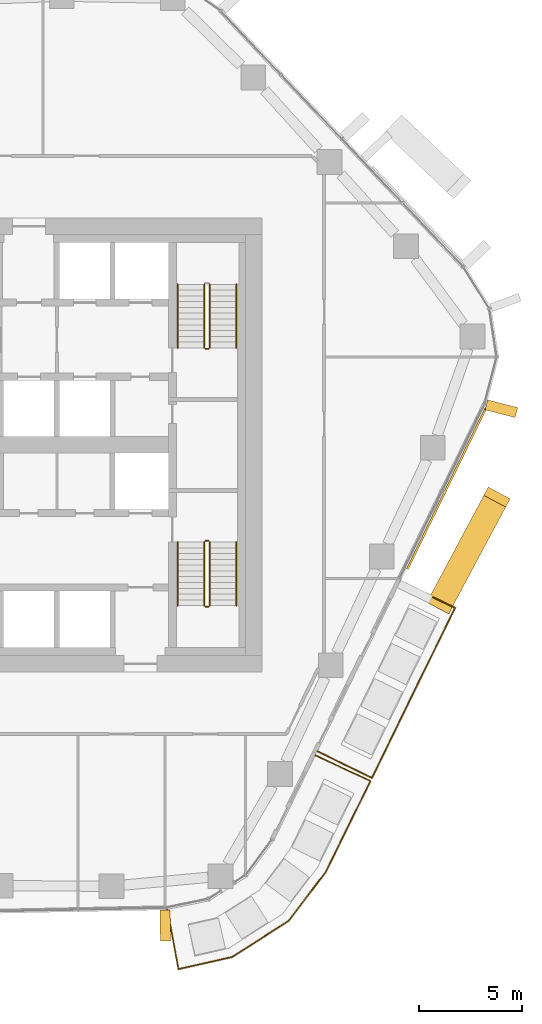
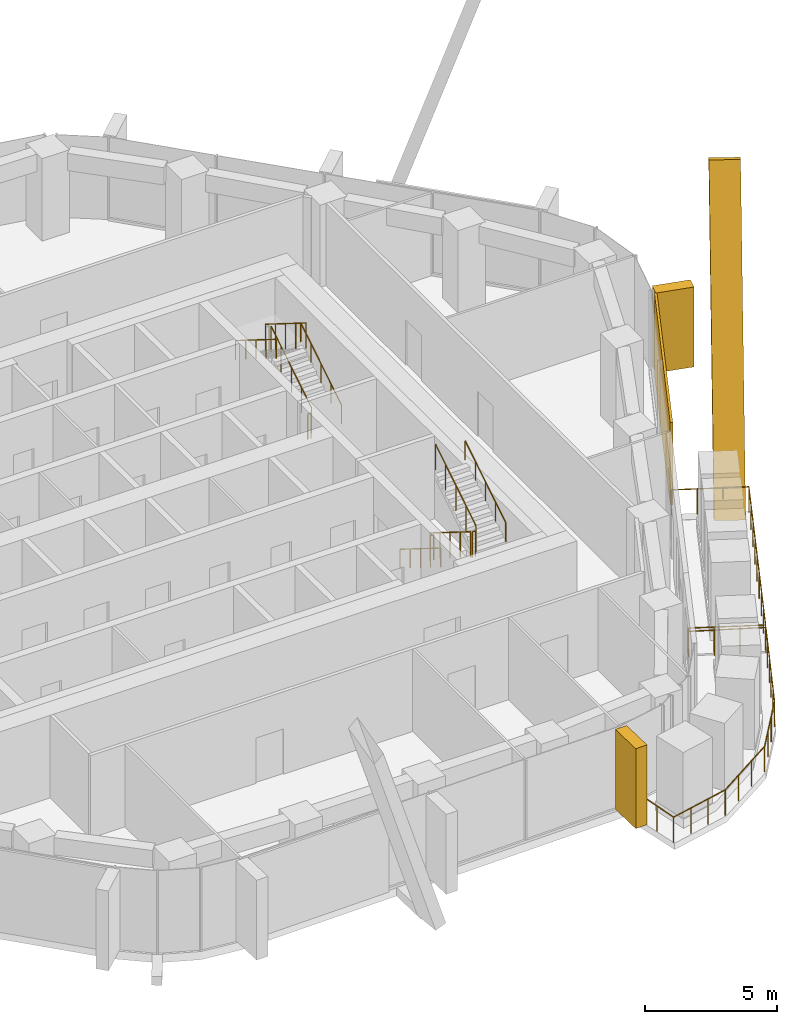
# One storey, part 16 of 18: 13 railings, 4 coverings, 3 elements without a shape of their own.
"""IFC4 building model written with IfcOpenShell, lengths in metres."""

from ifc_helpers import new_model, si_unit, direction, frame, origin, origin_2d, place, context, subcontext, project, spatial, rectangle, circle, extrude, material, layer, layer_set, material_profile, profile_set, type_object, element, aggregate, save


model = new_model("IFC4")

# Units and contexts
model_context = context("Model", 3, precision=1e-05, world=origin(), true_north=direction((0.0, 1.0)))
body_context = subcontext(model_context, "Body", "Model", "MODEL_VIEW")
ifc_project = project(units=[si_unit("LENGTHUNIT", "METRE"), si_unit("AREAUNIT", "SQUARE_METRE"), si_unit("VOLUMEUNIT", "CUBIC_METRE"), si_unit("PLANEANGLEUNIT", "RADIAN"), si_unit("MASSUNIT", "GRAM", prefix="KILO")], contexts=[model_context])

# Site, building, storey
site_placement = place(None, origin())
site = spatial("IfcSite", under=ifc_project, at=site_placement, CompositionType="ELEMENT")
building_placement = place(site_placement, origin())
building = spatial("IfcBuilding", under=site, at=building_placement, Name="Dongbaek Canopy Tower", CompositionType="ELEMENT")
storey_placement = place(building_placement, frame((0.0, 0.0, 167.0)))
storey = spatial("IfcBuildingStorey", under=building, at=storey_placement, Name="L36", CompositionType="ELEMENT", Elevation=167.0)

# Railings
ifc_material_1 = material(Name="Stainless steel", Category="steel")
railing_type_1 = type_object("IfcRailingType", Name="Balcony balustrade 1200", PredefinedType="BALUSTRADE", material=ifc_material_1)
railing_1_placement = place(storey_placement, frame((16.670654296875, -14.836181640625, 0.0)))
element("IfcRailing", 1, at=railing_1_placement, inside=storey, type_object=railing_type_1, Name="Balcony guard L36 2", PredefinedType="BALUSTRADE", context=body_context, shape_type="SweptSolid", body=[
    extrude(circle(Radius=0.02392578125, at=origin_2d()), frame((0.0, 0.0, 1.17578125), z_axis=(0.898671056663, -0.438623223184, 0.0), x_axis=(0.438623223184, 0.898671056663, 0.0)), (0.0, 0.0, 1.0), 2.93994140625),
    extrude(circle(Radius=0.02392578125, at=origin_2d()), frame((2.64208984375, -1.28955078125, 1.17578125), z_axis=(0.438668209755, 0.89864909823, 0.0), x_axis=(-0.89864909823, 0.438668209755, 0.0)), (0.0, 0.0, 1.0), 9.1640625),
    extrude(circle(Radius=0.02392578125, at=origin_2d()), frame((6.662109375, 6.94580078125, 1.17578125), z_axis=(-0.898671056663, 0.438623223184, 0.0), x_axis=(-0.438623223184, -0.898671056663, 0.0)), (0.0, 0.0, 1.0), 2.93994140625),
    extrude(circle(Radius=0.02099609375, at=origin_2d()), origin(), (0.0, 0.0, 1.0), 1.15185546875),
    extrude(circle(Radius=0.02099609375, at=origin_2d()), frame((0.880615234375, -0.429931640625, 0.0)), (0.0, 0.0, 1.0), 1.15185546875),
    extrude(circle(Radius=0.02099609375, at=origin_2d()), frame((1.761474609375, -0.859619140625, 0.0)), (0.0, 0.0, 1.0), 1.15185546875),
    extrude(circle(Radius=0.02099609375, at=origin_2d()), frame((2.64208984375, -1.28955078125, 0.0)), (0.0, 0.0, 1.0), 1.15185546875),
    extrude(circle(Radius=0.02099609375, at=origin_2d()), frame((3.14453125, -0.26025390625, 0.0)), (0.0, 0.0, 1.0), 1.15185546875),
    extrude(circle(Radius=0.02099609375, at=origin_2d()), frame((3.64697265625, 0.769287109375, 0.0)), (0.0, 0.0, 1.0), 1.15185546875),
    extrude(circle(Radius=0.02099609375, at=origin_2d()), frame((4.149658203125, 1.798828125, 0.0)), (0.0, 0.0, 1.0), 1.15185546875),
    extrude(circle(Radius=0.02099609375, at=origin_2d()), frame((4.652099609375, 2.828125, 0.0)), (0.0, 0.0, 1.0), 1.15185546875),
    extrude(circle(Radius=0.02099609375, at=origin_2d()), frame((5.154541015625, 3.857421875, 0.0)), (0.0, 0.0, 1.0), 1.15185546875),
    extrude(circle(Radius=0.02099609375, at=origin_2d()), frame((5.6572265625, 4.886962890625, 0.0)), (0.0, 0.0, 1.0), 1.15185546875),
    extrude(circle(Radius=0.02099609375, at=origin_2d()), frame((6.15966796875, 5.91650390625, 0.0)), (0.0, 0.0, 1.0), 1.15185546875),
    extrude(circle(Radius=0.02099609375, at=origin_2d()), frame((6.662109375, 6.94580078125, 0.0)), (0.0, 0.0, 1.0), 1.15185546875),
    extrude(circle(Radius=0.02099609375, at=origin_2d()), frame((5.781494140625, 7.375732421875, 0.0)), (0.0, 0.0, 1.0), 1.15185546875),
    extrude(circle(Radius=0.02099609375, at=origin_2d()), frame((4.900634765625, 7.805419921875, 0.0)), (0.0, 0.0, 1.0), 1.15185546875),
    extrude(circle(Radius=0.02099609375, at=origin_2d()), frame((4.02001953125, 8.2353515625, 0.0)), (0.0, 0.0, 1.0), 1.15185546875),
])
railing_2_placement = place(storey_placement, frame((9.403076171875, -22.49609375, 0.0)))
element("IfcRailing", 2, at=railing_2_placement, inside=storey, type_object=railing_type_1, Name="Balcony guard L36 4", PredefinedType="BALUSTRADE", context=body_context, shape_type="SweptSolid", body=[
    extrude(circle(Radius=0.02392578125, at=origin_2d()), frame((0.0, 0.0, 1.17578125), z_axis=(0.181821684014, -0.983331518473, 0.0), x_axis=(0.983331518473, 0.181821684014, 0.0)), (0.0, 0.0, 1.0), 2.940673828125),
    extrude(circle(Radius=0.02392578125, at=origin_2d()), frame((0.53466796875, -2.8916015625, 1.17578125), z_axis=(0.97554692989, 0.219791236364, 0.0), x_axis=(-0.219791236364, 0.97554692989, 0.0)), (0.0, 0.0, 1.0), 2.664794921875),
    extrude(circle(Radius=0.02392578125, at=origin_2d()), frame((3.13427734375, -2.305908203125, 1.17578125), z_axis=(0.842635636461, 0.538484154053, 0.0), x_axis=(-0.538484154053, 0.842635636461, 0.0)), (0.0, 0.0, 1.0), 3.24853515625),
    extrude(circle(Radius=0.02392578125, at=origin_2d()), frame((5.87158203125, -0.556640625, 1.17578125), z_axis=(0.604495759218, 0.79660835866, 0.0), x_axis=(-0.79660835866, 0.604495759218, 0.0)), (0.0, 0.0, 1.0), 2.982666015625),
    extrude(circle(Radius=0.02392578125, at=origin_2d()), frame((7.674560546875, 1.8193359375, 1.17578125), z_axis=(0.440917933883, 0.897547422469, 0.0), x_axis=(-0.897547422469, 0.440917933883, 0.0)), (0.0, 0.0, 1.0), 4.910400390625),
    extrude(circle(Radius=0.02392578125, at=origin_2d()), frame((9.839599609375, 6.2265625, 1.17578125), z_axis=(-0.907409457465, 0.420247637117, 0.0), x_axis=(-0.420247637117, -0.907409457465, 0.0)), (0.0, 0.0, 1.0), 2.940673828125),
    extrude(circle(Radius=0.02099609375, at=origin_2d()), origin(), (0.0, 0.0, 1.0), 1.15185546875),
    extrude(circle(Radius=0.02099609375, at=origin_2d()), frame((0.17822265625, -0.9638671875, 0.0)), (0.0, 0.0, 1.0), 1.15185546875),
    extrude(circle(Radius=0.02099609375, at=origin_2d()), frame((0.3564453125, -1.927734375, 0.0)), (0.0, 0.0, 1.0), 1.15185546875),
    extrude(circle(Radius=0.02099609375, at=origin_2d()), frame((0.53466796875, -2.8916015625, 0.0)), (0.0, 0.0, 1.0), 1.15185546875),
    extrude(circle(Radius=0.02099609375, at=origin_2d()), frame((1.401123046875, -2.6962890625, 0.0)), (0.0, 0.0, 1.0), 1.15185546875),
    extrude(circle(Radius=0.02099609375, at=origin_2d()), frame((2.267822265625, -2.501220703125, 0.0)), (0.0, 0.0, 1.0), 1.15185546875),
    extrude(circle(Radius=0.02099609375, at=origin_2d()), frame((3.13427734375, -2.305908203125, 0.0)), (0.0, 0.0, 1.0), 1.15185546875),
    extrude(circle(Radius=0.02099609375, at=origin_2d()), frame((4.046630859375, -1.722900390625, 0.0)), (0.0, 0.0, 1.0), 1.15185546875),
    extrude(circle(Radius=0.02099609375, at=origin_2d()), frame((4.959228515625, -1.1396484375, 0.0)), (0.0, 0.0, 1.0), 1.15185546875),
    extrude(circle(Radius=0.02099609375, at=origin_2d()), frame((5.87158203125, -0.556640625, 0.0)), (0.0, 0.0, 1.0), 1.15185546875),
    extrude(circle(Radius=0.02099609375, at=origin_2d()), frame((6.47265625, 0.2353515625, 0.0)), (0.0, 0.0, 1.0), 1.15185546875),
    extrude(circle(Radius=0.02099609375, at=origin_2d()), frame((7.073486328125, 1.02734375, 0.0)), (0.0, 0.0, 1.0), 1.15185546875),
    extrude(circle(Radius=0.02099609375, at=origin_2d()), frame((7.674560546875, 1.8193359375, 0.0)), (0.0, 0.0, 1.0), 1.15185546875),
    extrude(circle(Radius=0.02099609375, at=origin_2d()), frame((8.107666015625, 2.70068359375, 0.0)), (0.0, 0.0, 1.0), 1.15185546875),
    extrude(circle(Radius=0.02099609375, at=origin_2d()), frame((8.54052734375, 3.582275390625, 0.0)), (0.0, 0.0, 1.0), 1.15185546875),
    extrude(circle(Radius=0.02099609375, at=origin_2d()), frame((8.9736328125, 4.463623046875, 0.0)), (0.0, 0.0, 1.0), 1.15185546875),
    extrude(circle(Radius=0.02099609375, at=origin_2d()), frame((9.406494140625, 5.34521484375, 0.0)), (0.0, 0.0, 1.0), 1.15185546875),
    extrude(circle(Radius=0.02099609375, at=origin_2d()), frame((9.839599609375, 6.2265625, 0.0)), (0.0, 0.0, 1.0), 1.15185546875),
    extrude(circle(Radius=0.02099609375, at=origin_2d()), frame((8.9501953125, 6.638427734375, 0.0)), (0.0, 0.0, 1.0), 1.15185546875),
    extrude(circle(Radius=0.02099609375, at=origin_2d()), frame((8.060546875, 7.050537109375, 0.0)), (0.0, 0.0, 1.0), 1.15185546875),
    extrude(circle(Radius=0.02099609375, at=origin_2d()), frame((7.171142578125, 7.46240234375, 0.0)), (0.0, 0.0, 1.0), 1.15185546875),
])

# Curtain wall, coverings
ifc_material_2 = material(Name="Aluminium 6063-T6 pale anodised", Category="aluminium")
ifc_layer_1 = layer(ifc_material_2, 0.199951171875)
ifc_layer_set_1 = layer_set([ifc_layer_1], Name="CW-1 unitised tower curtain wall")
curtain_wall_type = type_object("IfcCurtainWallType", Name="CW-1 unitised tower curtain wall", PredefinedType="NOTDEFINED", material=ifc_layer_set_1)
curtain_wall_1_placement = place(storey_placement, origin())
curtain_wall_1 = element("IfcCurtainWall", 3, at=curtain_wall_1_placement, inside=storey, type_object=curtain_wall_type, Name="CW-1 curtain wall F5.1", PredefinedType="NOTDEFINED")
ifc_material_3 = material(Name="Aluminium 6063-T6 pale metal fin", Category="aluminium")
ifc_material_profile_1 = material_profile(ifc_material_3, rectangle(XDim=1.199951171875, YDim=0.5, at=origin_2d()), Name="Crease fin CF1 500 x 1200 pale metal")
ifc_profile_set_1 = profile_set([ifc_material_profile_1], Name="Aluminium 6063-T6 pale metal fin")
covering_type_1 = type_object("IfcCoveringType", Name="Crease fin CF1 500 x 1200 pale metal", PredefinedType="CLADDING", material=ifc_profile_set_1)
covering_1_placement = place(storey_placement, frame((22.60791015625, -7.69970703125, -0.18994140625), z_axis=(0.198673140838, 0.372367218345, 0.906571363882), x_axis=(-0.882276888959, 0.470730805459, 0.0)))
covering_1 = element("IfcCovering", 4, at=covering_1_placement, type_object=covering_type_1, Name="Crease fin L36 L39 F5", PredefinedType="CLADDING", context=body_context, shape_type="SweptSolid", body=[
    extrude(rectangle(XDim=1.199951171875, YDim=0.5, at=origin_2d()), origin(), (0.0, 0.0, 1.0), 13.8984375),
])
ifc_material_4 = material(Name="Perforated aluminium 6063-T6 pale metal screen", Category="aluminium")
ifc_layer_2 = layer(ifc_material_4, 0.10009765625)
ifc_layer_set_2 = layer_set([ifc_layer_2], Name="Facet screen FS1 100 pale metal")
covering_type_2 = type_object("IfcCoveringType", Name="Facet screen FS1 100 pale metal", PredefinedType="CLADDING", material=ifc_layer_set_2)
covering_2_placement = place(storey_placement, frame((22.934814453125, -2.1083984375, 0.0), z_axis=(0.0, 0.0, 1.0), x_axis=(0.438664468754, 0.89865092436, 0.0)))
covering_2 = element("IfcCovering", 5, at=covering_2_placement, type_object=covering_type_2, Name="Facet screen L36 F5", PredefinedType="CLADDING", context=body_context, shape_type="SweptSolid", body=[
    extrude(rectangle(XDim=8.6865234375, YDim=0.10009765625, at=origin_2d()), origin(), (0.0, 0.0, 1.0), 3.820068359375),
])
aggregate(curtain_wall_1, [covering_1, covering_2])

# Curtain wall, covering
curtain_wall_2_placement = place(storey_placement, origin())
curtain_wall_2 = element("IfcCurtainWall", 6, at=curtain_wall_2_placement, inside=storey, type_object=curtain_wall_type, Name="CW-1 curtain wall K0.1", PredefinedType="NOTDEFINED")
ifc_material_5 = material(Name="Aluminium 6063-T6 pale metal fin", Category="aluminium")
ifc_material_profile_2 = material_profile(ifc_material_5, rectangle(XDim=1.5, YDim=0.5, at=origin_2d()), Name="Fin FN1 500 x 1500 pale metal")
ifc_profile_set_2 = profile_set([ifc_material_profile_2], Name="Aluminium 6063-T6 pale metal fin")
covering_type_3 = type_object("IfcCoveringType", Name="Fin FN1 500 x 1500 pale metal", PredefinedType="CLADDING", material=ifc_profile_set_2)
covering_3_placement = place(storey_placement, frame((25.584228515625, 1.75390625, 0.1201171875), z_axis=(0.0, 0.0, 1.0), x_axis=(0.968425118829, -0.249304611313, 0.0)))
covering_3 = element("IfcCovering", 7, at=covering_3_placement, type_object=covering_type_3, Name="Fin K0.1.1", PredefinedType="CLADDING", context=body_context, shape_type="SweptSolid", body=[
    extrude(rectangle(XDim=1.5, YDim=0.5, at=origin_2d()), origin(), (0.0, 0.0, 1.0), 3.699951171875),
])
aggregate(curtain_wall_2, [covering_3])

curtain_wall_3_placement = place(storey_placement, origin())
curtain_wall_3 = element("IfcCurtainWall", 8, at=curtain_wall_3_placement, inside=storey, type_object=curtain_wall_type, Name="CW-1 curtain wall F4.1", PredefinedType="NOTDEFINED")
covering_4_placement = place(storey_placement, frame((9.3017578125, -23.268310546875, 0.1201171875), z_axis=(0.0, 0.0, 1.0), x_axis=(0.020514717954, -0.999789551029, 0.0)))
covering_4 = element("IfcCovering", 9, at=covering_4_placement, type_object=covering_type_3, Name="Fin F4.1.5", PredefinedType="CLADDING", context=body_context, shape_type="SweptSolid", body=[
    extrude(rectangle(XDim=1.5, YDim=0.5, at=origin_2d()), origin(), (0.0, 0.0, 1.0), 3.699951171875),
])
aggregate(curtain_wall_3, [covering_4])

# Railings
ifc_material_6 = material(Name="Stainless steel tube and balusters", Category="steel")
railing_type_2 = type_object("IfcRailingType", Name="Stair guard 1200", PredefinedType="GUARDRAIL", material=ifc_material_6)
railing_3_placement = place(storey_placement, frame((11.449951171875, 4.699951171875, 0.175048828125)))
element("IfcRailing", 10, at=railing_3_placement, inside=storey, type_object=railing_type_2, Name="L36 ST-A stair guard 1", PredefinedType="GUARDRAIL", context=body_context, shape_type="SweptSolid", body=[
    extrude(circle(Radius=0.02392578125, at=origin_2d()), frame((0.0, 0.0, 1.17578125), z_axis=(0.0, 0.847998304005, 0.529998940003), x_axis=(-1.0, 0.0, 0.0)), (0.0, 0.0, 1.0), 3.632080078125),
    extrude(circle(Radius=0.02099609375, at=origin_2d()), origin(), (0.0, 0.0, 1.0), 1.15185546875),
    extrude(circle(Radius=0.02099609375, at=origin_2d()), frame((0.0, 0.77001953125, 0.481201171875)), (0.0, 0.0, 1.0), 1.15185546875),
    extrude(circle(Radius=0.02099609375, at=origin_2d()), frame((0.0, 1.5400390625, 0.96240234375)), (0.0, 0.0, 1.0), 1.15185546875),
    extrude(circle(Radius=0.02099609375, at=origin_2d()), frame((0.0, 2.31005859375, 1.44384765625)), (0.0, 0.0, 1.0), 1.15185546875),
    extrude(circle(Radius=0.02099609375, at=origin_2d()), frame((0.0, 3.080078125, 1.925048828125)), (0.0, 0.0, 1.0), 1.15185546875),
])
railing_4_placement = place(storey_placement, frame((11.199951171875, 7.780029296875, 2.27490234375)))
element("IfcRailing", 11, at=railing_4_placement, inside=storey, type_object=railing_type_2, Name="L36 ST-A stair guard 3", PredefinedType="GUARDRAIL", context=body_context, shape_type="SweptSolid", body=[
    extrude(circle(Radius=0.02392578125, at=origin_2d()), frame((0.0, 0.0, 1.17578125), z_axis=(0.0, -0.847998304005, 0.529998940003), x_axis=(1.0, 0.0, 0.0)), (0.0, 0.0, 1.0), 3.632080078125),
    extrude(circle(Radius=0.02099609375, at=origin_2d()), origin(), (0.0, 0.0, 1.0), 1.15185546875),
    extrude(circle(Radius=0.02099609375, at=origin_2d()), frame((0.0, -0.77001953125, 0.481201171875)), (0.0, 0.0, 1.0), 1.15185546875),
    extrude(circle(Radius=0.02099609375, at=origin_2d()), frame((0.0, -1.5400390625, 0.96240234375)), (0.0, 0.0, 1.0), 1.15185546875),
    extrude(circle(Radius=0.02099609375, at=origin_2d()), frame((0.0, -2.31005859375, 1.44384765625)), (0.0, 0.0, 1.0), 1.15185546875),
    extrude(circle(Radius=0.02099609375, at=origin_2d()), frame((0.0, -3.080078125, 1.925048828125)), (0.0, 0.0, 1.0), 1.15185546875),
])
railing_5_placement = place(storey_placement, frame((11.39990234375, 4.64990234375, 0.0)))
element("IfcRailing", 12, at=railing_5_placement, inside=storey, type_object=railing_type_2, Name="L36 ST-A stair guard 4", PredefinedType="GUARDRAIL", context=body_context, shape_type="SweptSolid", body=[
    extrude(circle(Radius=0.02392578125, at=origin_2d()), frame((0.0, 0.0, 1.17578125), z_axis=(-1.0, 0.0, 0.0), x_axis=(0.0, -1.0, 0.0)), (0.0, 0.0, 1.0), 0.14990234375),
    extrude(circle(Radius=0.02099609375, at=origin_2d()), origin(), (0.0, 0.0, 1.0), 1.15185546875),
    extrude(circle(Radius=0.02099609375, at=origin_2d()), frame((-0.14990234375, 0.0, 0.0)), (0.0, 0.0, 1.0), 1.15185546875),
])
railing_6_placement = place(storey_placement, frame((11.199951171875, -4.699951171875, 0.175048828125)))
element("IfcRailing", 13, at=railing_6_placement, inside=storey, type_object=railing_type_2, Name="L36 ST-B stair guard 1", PredefinedType="GUARDRAIL", context=body_context, shape_type="SweptSolid", body=[
    extrude(circle(Radius=0.02392578125, at=origin_2d()), frame((0.0, 0.0, 1.17578125), z_axis=(0.0, -0.847998304005, 0.529998940003), x_axis=(1.0, 0.0, 0.0)), (0.0, 0.0, 1.0), 3.632080078125),
    extrude(circle(Radius=0.02099609375, at=origin_2d()), origin(), (0.0, 0.0, 1.0), 1.15185546875),
    extrude(circle(Radius=0.02099609375, at=origin_2d()), frame((0.0, -0.77001953125, 0.481201171875)), (0.0, 0.0, 1.0), 1.15185546875),
    extrude(circle(Radius=0.02099609375, at=origin_2d()), frame((0.0, -1.5400390625, 0.96240234375)), (0.0, 0.0, 1.0), 1.15185546875),
    extrude(circle(Radius=0.02099609375, at=origin_2d()), frame((0.0, -2.31005859375, 1.44384765625)), (0.0, 0.0, 1.0), 1.15185546875),
    extrude(circle(Radius=0.02099609375, at=origin_2d()), frame((0.0, -3.080078125, 1.925048828125)), (0.0, 0.0, 1.0), 1.15185546875),
])
railing_7_placement = place(storey_placement, frame((11.25, -7.830078125, 2.10009765625)))
element("IfcRailing", 14, at=railing_7_placement, inside=storey, type_object=railing_type_2, Name="L36 ST-B stair guard 2", PredefinedType="GUARDRAIL", context=body_context, shape_type="SweptSolid", body=[
    extrude(circle(Radius=0.02392578125, at=origin_2d()), frame((0.0, 0.0, 1.17578125), z_axis=(1.0, 0.0, 0.0), x_axis=(0.0, 1.0, 0.0)), (0.0, 0.0, 1.0), 0.14990234375),
    extrude(circle(Radius=0.02099609375, at=origin_2d()), origin(), (0.0, 0.0, 1.0), 1.15185546875),
    extrude(circle(Radius=0.02099609375, at=origin_2d()), frame((0.14990234375, 0.0, 0.0)), (0.0, 0.0, 1.0), 1.15185546875),
])
railing_8_placement = place(storey_placement, frame((11.449951171875, -7.780029296875, 2.27490234375)))
element("IfcRailing", 15, at=railing_8_placement, inside=storey, type_object=railing_type_2, Name="L36 ST-B stair guard 3", PredefinedType="GUARDRAIL", context=body_context, shape_type="SweptSolid", body=[
    extrude(circle(Radius=0.02392578125, at=origin_2d()), frame((0.0, 0.0, 1.17578125), z_axis=(0.0, 0.847998304005, 0.529998940003), x_axis=(-1.0, 0.0, 0.0)), (0.0, 0.0, 1.0), 3.632080078125),
    extrude(circle(Radius=0.02099609375, at=origin_2d()), origin(), (0.0, 0.0, 1.0), 1.15185546875),
    extrude(circle(Radius=0.02099609375, at=origin_2d()), frame((0.0, 0.77001953125, 0.481201171875)), (0.0, 0.0, 1.0), 1.15185546875),
    extrude(circle(Radius=0.02099609375, at=origin_2d()), frame((0.0, 1.5400390625, 0.96240234375)), (0.0, 0.0, 1.0), 1.15185546875),
    extrude(circle(Radius=0.02099609375, at=origin_2d()), frame((0.0, 2.31005859375, 1.44384765625)), (0.0, 0.0, 1.0), 1.15185546875),
    extrude(circle(Radius=0.02099609375, at=origin_2d()), frame((0.0, 3.080078125, 1.925048828125)), (0.0, 0.0, 1.0), 1.15185546875),
])
railing_9_placement = place(storey_placement, frame((11.25, -4.64990234375, 0.0)))
element("IfcRailing", 16, at=railing_9_placement, inside=storey, type_object=railing_type_2, Name="L36 ST-B stair guard 4", PredefinedType="GUARDRAIL", context=body_context, shape_type="SweptSolid", body=[
    extrude(circle(Radius=0.02392578125, at=origin_2d()), frame((0.0, 0.0, 1.17578125), z_axis=(1.0, 0.0, 0.0), x_axis=(0.0, 1.0, 0.0)), (0.0, 0.0, 1.0), 0.14990234375),
    extrude(circle(Radius=0.02099609375, at=origin_2d()), origin(), (0.0, 0.0, 1.0), 1.15185546875),
    extrude(circle(Radius=0.02099609375, at=origin_2d()), frame((0.14990234375, 0.0, 0.0)), (0.0, 0.0, 1.0), 1.15185546875),
])
ifc_material_7 = material(Name="Stainless steel tube", Category="steel")
railing_type_3 = type_object("IfcRailingType", Name="Stair handrail 900", PredefinedType="HANDRAIL", material=ifc_material_7)
railing_10_placement = place(storey_placement, frame((12.75, 4.699951171875, 0.175048828125)))
element("IfcRailing", 17, at=railing_10_placement, inside=storey, type_object=railing_type_3, Name="L36 ST-A stair handrail 1", PredefinedType="HANDRAIL", context=body_context, shape_type="SweptSolid", body=[
    extrude(circle(Radius=0.02392578125, at=origin_2d()), frame((0.0, 0.0, 0.8759765625), z_axis=(0.0, 0.847998304005, 0.529998940003), x_axis=(-1.0, 0.0, 0.0)), (0.0, 0.0, 1.0), 3.632080078125),
    extrude(circle(Radius=0.02099609375, at=origin_2d()), origin(), (0.0, 0.0, 1.0), 0.851806640625),
    extrude(circle(Radius=0.02099609375, at=origin_2d()), frame((0.0, 0.77001953125, 0.481201171875)), (0.0, 0.0, 1.0), 0.851806640625),
    extrude(circle(Radius=0.02099609375, at=origin_2d()), frame((0.0, 1.5400390625, 0.96240234375)), (0.0, 0.0, 1.0), 0.851806640625),
    extrude(circle(Radius=0.02099609375, at=origin_2d()), frame((0.0, 2.31005859375, 1.44384765625)), (0.0, 0.0, 1.0), 0.851806640625),
    extrude(circle(Radius=0.02099609375, at=origin_2d()), frame((0.0, 3.080078125, 1.925048828125)), (0.0, 0.0, 1.0), 0.851806640625),
])
for number, where, name in (
    (18, (9.89990234375, 7.780029296875, 2.27490234375), "L36 ST-A stair handrail 2"),
    (19, (9.89990234375, -4.699951171875, 0.175048828125), "L36 ST-B stair handrail 1"),
):
    element("IfcRailing", number, at=place(storey_placement, frame(where)), inside=storey, type_object=railing_type_3, Name=name, PredefinedType="HANDRAIL", context=body_context, shape_type="SweptSolid", body=[
        extrude(circle(Radius=0.02392578125, at=origin_2d()), frame((0.0, 0.0, 0.8759765625), z_axis=(0.0, -0.847998304005, 0.529998940003), x_axis=(1.0, 0.0, 0.0)), (0.0, 0.0, 1.0), 3.632080078125),
        extrude(circle(Radius=0.02099609375, at=origin_2d()), origin(), (0.0, 0.0, 1.0), 0.851806640625),
        extrude(circle(Radius=0.02099609375, at=origin_2d()), frame((0.0, -0.77001953125, 0.481201171875)), (0.0, 0.0, 1.0), 0.851806640625),
        extrude(circle(Radius=0.02099609375, at=origin_2d()), frame((0.0, -1.5400390625, 0.96240234375)), (0.0, 0.0, 1.0), 0.851806640625),
        extrude(circle(Radius=0.02099609375, at=origin_2d()), frame((0.0, -2.31005859375, 1.44384765625)), (0.0, 0.0, 1.0), 0.851806640625),
        extrude(circle(Radius=0.02099609375, at=origin_2d()), frame((0.0, -3.080078125, 1.925048828125)), (0.0, 0.0, 1.0), 0.851806640625),
    ])
railing_11_placement = place(storey_placement, frame((12.75, -7.780029296875, 2.27490234375)))
element("IfcRailing", 20, at=railing_11_placement, inside=storey, type_object=railing_type_3, Name="L36 ST-B stair handrail 2", PredefinedType="HANDRAIL", context=body_context, shape_type="SweptSolid", body=[
    extrude(circle(Radius=0.02392578125, at=origin_2d()), frame((0.0, 0.0, 0.8759765625), z_axis=(0.0, 0.847998304005, 0.529998940003), x_axis=(-1.0, 0.0, 0.0)), (0.0, 0.0, 1.0), 3.632080078125),
    extrude(circle(Radius=0.02099609375, at=origin_2d()), origin(), (0.0, 0.0, 1.0), 0.851806640625),
    extrude(circle(Radius=0.02099609375, at=origin_2d()), frame((0.0, 0.77001953125, 0.481201171875)), (0.0, 0.0, 1.0), 0.851806640625),
    extrude(circle(Radius=0.02099609375, at=origin_2d()), frame((0.0, 1.5400390625, 0.96240234375)), (0.0, 0.0, 1.0), 0.851806640625),
    extrude(circle(Radius=0.02099609375, at=origin_2d()), frame((0.0, 2.31005859375, 1.44384765625)), (0.0, 0.0, 1.0), 0.851806640625),
    extrude(circle(Radius=0.02099609375, at=origin_2d()), frame((0.0, 3.080078125, 1.925048828125)), (0.0, 0.0, 1.0), 0.851806640625),
])

save(model, "model.ifc")
